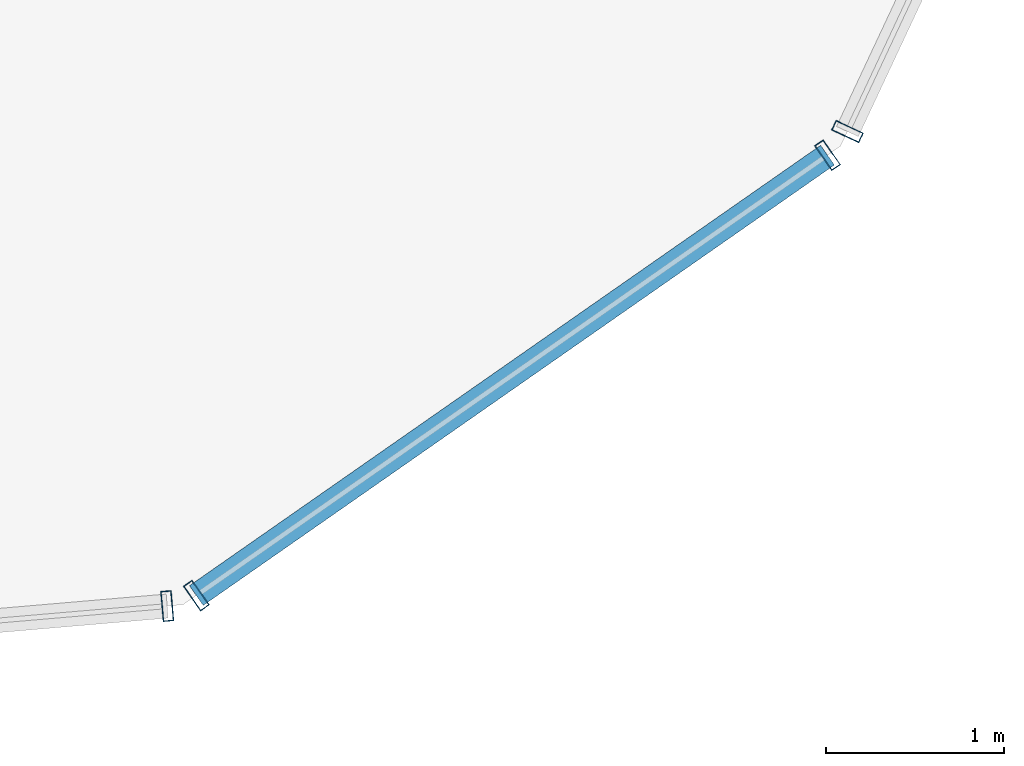
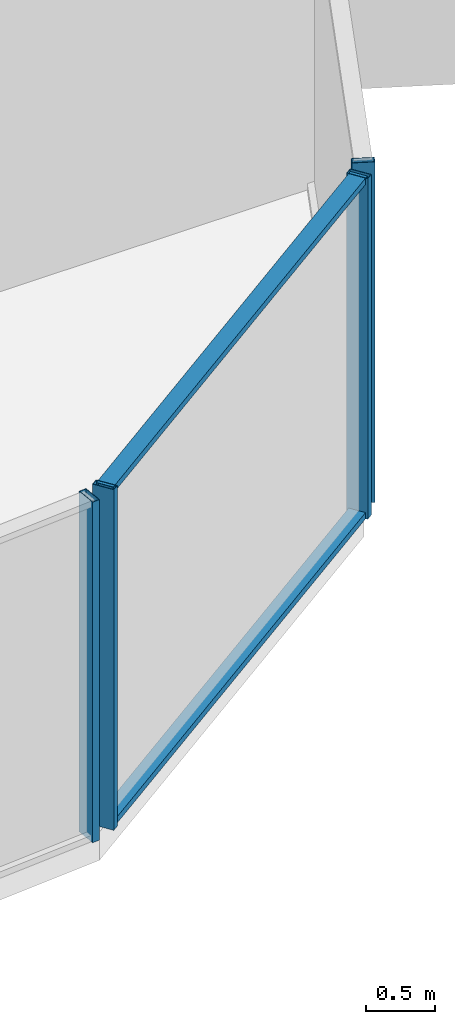
# One storey, part 14 of 37: 6 members, 3 elements without a shape of their own.
"""IFC4 building model written with IfcOpenShell, lengths in metres."""

from ifc_helpers import new_model, si_unit, direction, frame, origin, origin_2d, place, context, subcontext, project, spatial, hollow_rectangle, extrude, source, transform, mapped, material, layer, layer_set, material_profile, profile_set, type_object, element, aggregate, save


model = new_model("IFC4")

# Units and contexts
model_context = context("Model", 3, precision=1e-05, world=origin(), true_north=direction((0.0, 1.0)))
body_context = subcontext(model_context, "Body", "Model", "MODEL_VIEW")
ifc_project = project(units=[si_unit("LENGTHUNIT", "METRE"), si_unit("AREAUNIT", "SQUARE_METRE"), si_unit("VOLUMEUNIT", "CUBIC_METRE"), si_unit("PLANEANGLEUNIT", "RADIAN"), si_unit("MASSUNIT", "GRAM", prefix="KILO")], contexts=[model_context])

# Site, building, storey
site_placement = place(None, origin())
site = spatial("IfcSite", under=ifc_project, at=site_placement, CompositionType="ELEMENT")
building_placement = place(site_placement, origin())
building = spatial("IfcBuilding", under=site, at=building_placement, Name="Veraguas Prism Commons", CompositionType="ELEMENT")
storey_placement = place(building_placement, frame((0.0, 0.0, 40.300048828125)))
storey = spatial("IfcBuildingStorey", under=building, at=storey_placement, Name="L10", CompositionType="ELEMENT", Elevation=40.300048828125)

# Curtain wall, member
ifc_material = material(Name="Anodised aluminium EN AW-6063 T6", Category="aluminium")
ifc_layer = layer(ifc_material, 0.169921875, Name="Unitised Flush Curtain Wall Zone 1", Category="aluminium")
ifc_layer_set = layer_set([ifc_layer], Name="Anodised aluminium EN AW-6063 T6")
curtain_wall_type = type_object("IfcCurtainWallType", Name="Unitised Flush Curtain Wall Zone 1", PredefinedType="NOTDEFINED", material=ifc_layer_set)
curtain_wall_1_placement = place(storey_placement, origin())
curtain_wall_1 = element("IfcCurtainWall", 1, at=curtain_wall_1_placement, inside=storey, type_object=curtain_wall_type, Name="Tower Facade Curtain Wall L10-F5", PredefinedType="NOTDEFINED")
ifc_material_profile_1 = material_profile(ifc_material, hollow_rectangle(XDim=0.06005859375, YDim=0.169921875, WallThickness=0.00390625, at=origin_2d()), Name="AL60X170X4")
ifc_profile_set_1 = profile_set([ifc_material_profile_1], Name="Anodised aluminium EN AW-6063 T6")
member_type_1 = type_object("IfcMemberType", Name="Curtain Wall Mullion Lower AL 60x170x4", PredefinedType="MULLION", material=ifc_profile_set_1)
shared_shape_1 = source(origin(), body_context, "Body", "SweptSolid", [
    extrude(hollow_rectangle(XDim=0.06005859375, YDim=0.169921875, WallThickness=0.00390625, at=origin_2d()), origin(), (0.0, 0.0, 1.0), 3.0),
])
member_1_placement = place(storey_placement, frame((35.05322265625, 4.086669921875, 0.0), z_axis=(0.0, 0.0, 1.0), x_axis=(0.996345296191, 0.085416923137, 0.0)))
member_1 = element("IfcMember", 2, at=member_1_placement, type_object=member_type_1, Name="CW-Z1 Mullion 5", PredefinedType="MULLION", context=body_context, shape_type="MappedRepresentation", body=[
    mapped(shared_shape_1, transform((0.0, 0.0, 0.0), scale=1.0)),
])
aggregate(curtain_wall_1, [member_1])

curtain_wall_2_placement = place(storey_placement, origin())
curtain_wall_2 = element("IfcCurtainWall", 3, at=curtain_wall_2_placement, inside=storey, type_object=curtain_wall_type, Name="Tower Facade Curtain Wall L10-F6", PredefinedType="NOTDEFINED")
member_2_placement = place(storey_placement, frame((38.871826171875, 6.75048828125, 0.0), z_axis=(0.0, 0.0, 1.0), x_axis=(0.424194681192, 0.905571020102, 0.0)))
member_2 = element("IfcMember", 4, at=member_2_placement, type_object=member_type_1, Name="CW-Z1 Mullion 1", PredefinedType="MULLION", context=body_context, shape_type="MappedRepresentation", body=[
    mapped(shared_shape_1, transform((0.0, 0.0, 0.0), scale=1.0)),
])
aggregate(curtain_wall_2, [member_2])

# Curtain wall, members
curtain_wall_3_placement = place(storey_placement, origin())
curtain_wall_3 = element("IfcCurtainWall", 5, at=curtain_wall_3_placement, inside=storey, type_object=curtain_wall_type, Name="Chamfer Curtain Wall L10-C6", PredefinedType="NOTDEFINED")
member_3_placement = place(storey_placement, frame((35.216796875, 4.145751953125, 0.0), z_axis=(0.0, 0.0, 1.0), x_axis=(0.82014388713, 0.57215732487, 0.0)))
member_3 = element("IfcMember", 6, at=member_3_placement, type_object=member_type_1, Name="CW-Z1 Mullion 1", PredefinedType="MULLION", context=body_context, shape_type="MappedRepresentation", body=[
    mapped(shared_shape_1, transform((0.0, 0.0, 0.0), scale=1.0)),
])
member_4_placement = place(storey_placement, frame((38.759765625, 6.61767578125, 0.0), z_axis=(0.0, 0.0, 1.0), x_axis=(0.82014388713, 0.57215732487, 0.0)))
member_4 = element("IfcMember", 7, at=member_4_placement, type_object=member_type_1, Name="CW-Z1 Mullion 2", PredefinedType="MULLION", context=body_context, shape_type="MappedRepresentation", body=[
    mapped(shared_shape_1, transform((0.0, 0.0, 0.0), scale=1.0)),
])
ifc_material_profile_2 = material_profile(ifc_material, hollow_rectangle(XDim=0.054931640625, YDim=0.135009765625, WallThickness=0.0029296875, at=origin_2d()), Name="AL55X135X3")
ifc_profile_set_2 = profile_set([ifc_material_profile_2], Name="Anodised aluminium EN AW-6063 T6")
member_type_2 = type_object("IfcMemberType", Name="Curtain Wall Transom Standard AL 55x135x3", PredefinedType="USERDEFINED", material=ifc_profile_set_2)
shared_shape_2 = source(origin(), body_context, "Body", "SweptSolid", [
    extrude(hollow_rectangle(XDim=0.054931640625, YDim=0.135009765625, WallThickness=0.0029296875, at=origin_2d()), origin(), (0.0, 0.0, 1.0), 4.320068359375),
])
member_5_placement = place(storey_placement, frame((35.216796875, 4.145751953125, 0.02734375), z_axis=(0.820117703236, 0.572194855655, 0.0), x_axis=(0.0, 0.0, 1.0)))
member_5 = element("IfcMember", 8, at=member_5_placement, type_object=member_type_2, Name="CW-Z1 Transom 1", ObjectType="TRANSOM", PredefinedType="USERDEFINED", context=body_context, shape_type="MappedRepresentation", body=[
    mapped(shared_shape_2, transform((0.0, 0.0, 0.0), scale=1.0)),
])
member_6_placement = place(storey_placement, frame((35.216796875, 4.145751953125, 2.972412109375), z_axis=(0.820117703236, 0.572194855655, 0.0), x_axis=(0.0, 0.0, 1.0)))
member_6 = element("IfcMember", 9, at=member_6_placement, type_object=member_type_2, Name="CW-Z1 Transom 2", ObjectType="TRANSOM", PredefinedType="USERDEFINED", context=body_context, shape_type="MappedRepresentation", body=[
    mapped(shared_shape_2, transform((0.0, 0.0, 0.0), scale=1.0)),
])
aggregate(curtain_wall_3, [member_3, member_4, member_5, member_6])

save(model, "model.ifc")
